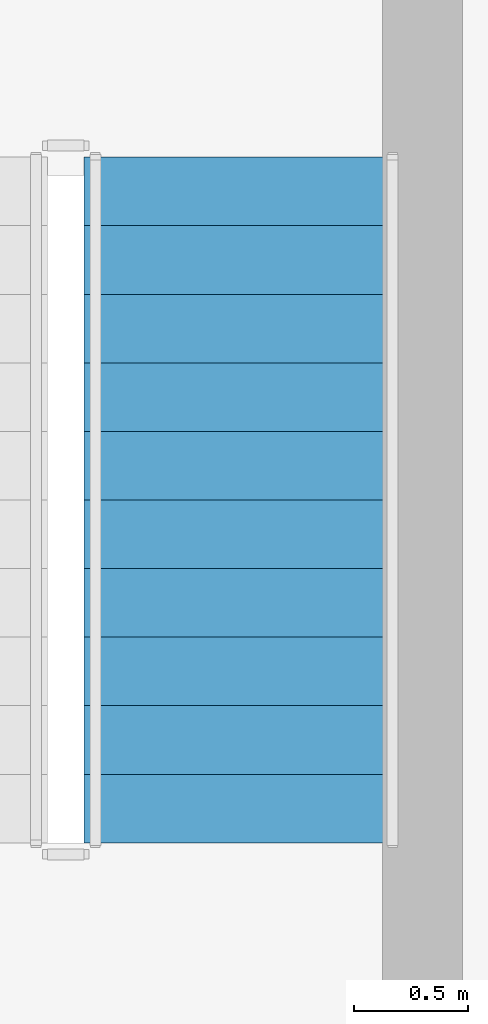
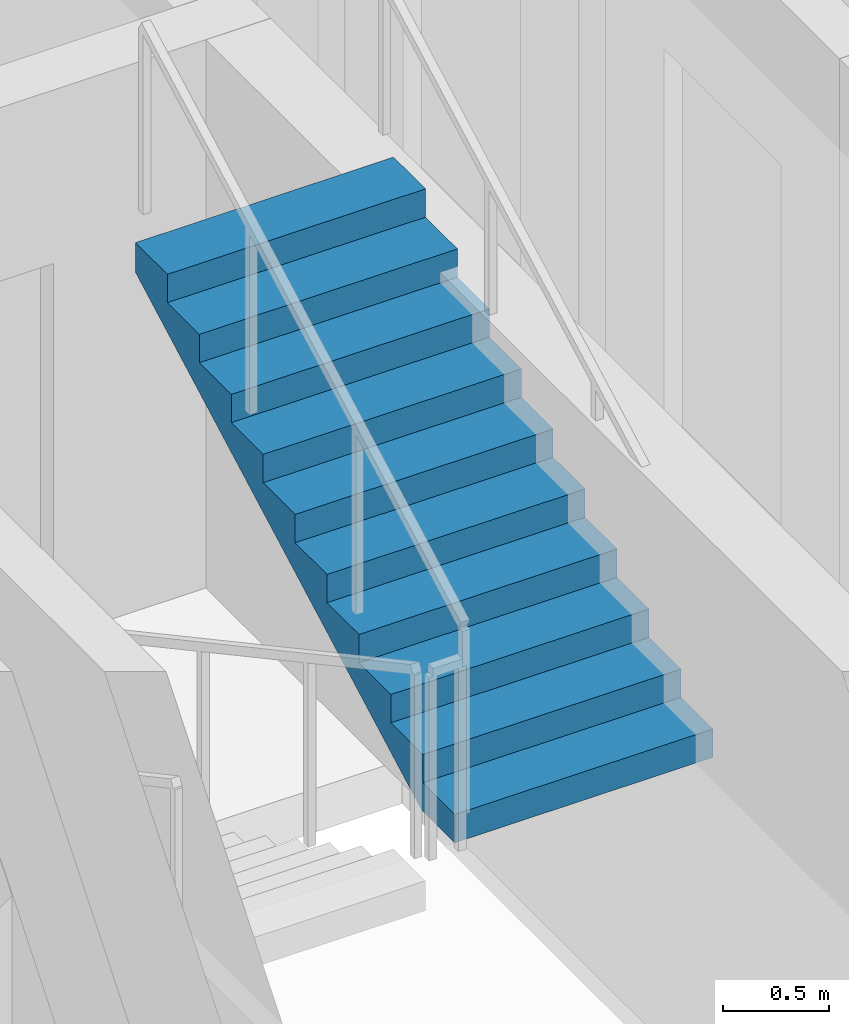
# One storey, part 6 of 13: 1 stair flight, 1 element without a shape of its own.
"""IFC4 building model written with IfcOpenShell, lengths in metres."""

import ifcopenshell
import ifcopenshell.guid

model = None  # the IFC model being written
_history = None  # IfcOwnerHistory: only IFC2X3 demands one
_inside = {}  # id of a spatial element -> (the spatial element, [elements in it])
_under = {}  # id of a project, library or spatial element -> (it, [spatial elements below it])
_declared = {}  # id of a project -> (the project, [libraries it declares])
_typed = {}  # id of a type object -> (the type object, [elements of that type])
_made_of = {}  # id of a material, layer set ... -> (it, [elements and type objects made of it])


def new_model(schema):
    """Start an empty IFC model of exactly this schema.

    Asked for "IFC4X3", IfcOpenShell would pick the latest addendum, in which some entities
    have other attributes; the version numbers below select the first issue.
    IFC2X3 requires an IfcOwnerHistory on every rooted entity: one is made here for all.
    """
    global model, _history
    if schema == "IFC4X3":
        model = ifcopenshell.file(schema_version=(4, 3, 0, 0))
    else:
        model = ifcopenshell.file(schema=schema)
    _inside.clear()
    _under.clear()
    _declared.clear()
    _typed.clear()
    _made_of.clear()
    _history = None
    if model.schema == "IFC2X3":
        org = make("IfcOrganization", Name="unknown")
        user = make(
            "IfcPersonAndOrganization",
            ThePerson=make("IfcPerson", FamilyName="unknown"),
            TheOrganization=org,
        )
        app = make(
            "IfcApplication",
            ApplicationDeveloper=org,
            Version="unknown",
            ApplicationFullName="unknown",
            ApplicationIdentifier="unknown",
        )
        _history = make(
            "IfcOwnerHistory",
            OwningUser=user,
            OwningApplication=app,
            ChangeAction="ADDED",
            CreationDate=0,
        )
    return model


def make(cls, **values):
    """One entity of the class cls with the attributes given. An attribute that is None is left unset."""
    return model.create_entity(
        cls, **{name: value for name, value in values.items() if value is not None}
    )


def rooted(cls, **values):
    """An entity with a GlobalId (a new one), such as an element, a storey or a relation."""
    return make(cls, GlobalId=ifcopenshell.guid.new(), OwnerHistory=_history, **values)


def si_unit(unit_type, name, prefix=None):
    """IfcSIUnit, for example si_unit("LENGTHUNIT", "METRE", prefix="MILLI")."""
    return make("IfcSIUnit", UnitType=unit_type, Prefix=prefix, Name=name)


def assignment(units):
    """IfcUnitAssignment: the units of a project."""
    return None if units is None else make("IfcUnitAssignment", Units=units)


def point(xyz):
    """IfcCartesianPoint."""
    return None if xyz is None else make("IfcCartesianPoint", Coordinates=xyz)


def direction(xyz):
    """IfcDirection."""
    return None if xyz is None else make("IfcDirection", DirectionRatios=xyz)


def frame(location, z_axis=None, x_axis=None):
    """IfcAxis2Placement3D, a coordinate frame: its origin and axes. An axis left out is left unset."""
    return make(
        "IfcAxis2Placement3D",
        Location=point(location),
        Axis=direction(z_axis),
        RefDirection=direction(x_axis),
    )


def origin():
    """The frame at (0, 0, 0) with its axes left unset."""
    return frame((0.0, 0.0, 0.0))


def place(relative_to, where):
    """IfcLocalPlacement: puts the frame where relative to a parent placement (None: the world)."""
    return make(
        "IfcLocalPlacement", PlacementRelTo=relative_to, RelativePlacement=where
    )


def context(
    kind, dimensions, precision=None, world=None, true_north=None, identifier=None
):
    """IfcGeometricRepresentationContext, for example the 3D "Model" context."""
    return make(
        "IfcGeometricRepresentationContext",
        ContextIdentifier=identifier,
        ContextType=kind,
        CoordinateSpaceDimension=dimensions,
        Precision=precision,
        WorldCoordinateSystem=world,
        TrueNorth=true_north,
    )


def subcontext(parent, identifier, kind, view, scale=None):
    """IfcGeometricRepresentationSubContext, for example "Body" below "Model"."""
    return make(
        "IfcGeometricRepresentationSubContext",
        ContextIdentifier=identifier,
        ContextType=kind,
        ParentContext=parent,
        TargetScale=scale,
        TargetView=view,
    )


def project(units=None, contexts=None):
    """IfcProject with its units and contexts."""
    return rooted(
        "IfcProject",
        Name="project",
        RepresentationContexts=contexts,
        UnitsInContext=assignment(units),
    )


def spatial(cls, under=None, at=None, **own):
    """A site, building, storey or space (cls), placed at a placement, below another one or the project."""
    s = rooted(cls, ObjectPlacement=at, **own)
    if under is not None:
        _under.setdefault(under.id(), (under, []))[1].append(s)
    return s


def polyline(points):
    """IfcPolyline through the points."""
    return make("IfcPolyline", Points=[point(p) for p in points])


def outline(outer, holes=None, kind="AREA"):
    """IfcArbitraryClosedProfileDef: a profile drawn as a closed curve; with holes, ...WithVoids."""
    if holes is None:
        return make("IfcArbitraryClosedProfileDef", ProfileType=kind, OuterCurve=outer)
    return make(
        "IfcArbitraryProfileDefWithVoids",
        ProfileType=kind,
        OuterCurve=outer,
        InnerCurves=holes,
    )


def extrude(swept, where, along, depth):
    """IfcExtrudedAreaSolid: the profile swept, set in the frame where, extruded along a direction by depth."""
    return make(
        "IfcExtrudedAreaSolid",
        SweptArea=swept,
        Position=where,
        ExtrudedDirection=direction(along),
        Depth=depth,
    )


def shape(context_of_items, identifier, shape_type, items):
    """IfcShapeRepresentation: the items that make up one representation, for example the "Body"."""
    return make(
        "IfcShapeRepresentation",
        ContextOfItems=context_of_items,
        RepresentationIdentifier=identifier,
        RepresentationType=shape_type,
        Items=items,
    )


def material(Name=None, Category=None):
    """IfcMaterial."""
    return make("IfcMaterial", Name=Name, Category=Category)


def layer(
    of_material, thickness, ventilated=None, Name=None, Category=None, Priority=None
):
    """IfcMaterialLayer: one layer of a wall or slab, of a material (None: an air gap)."""
    return make(
        "IfcMaterialLayer",
        Material=of_material,
        LayerThickness=thickness,
        IsVentilated=ventilated,
        Name=Name,
        Category=Category,
        Priority=Priority,
    )


def layer_set(layers, Name=None):
    """IfcMaterialLayerSet."""
    return make("IfcMaterialLayerSet", MaterialLayers=layers, LayerSetName=Name)


def made_of(thing, what):
    """Note that an element or type object is made of a material, layer set ...; save() writes the relation."""
    if what is not None:
        _made_of.setdefault(what.id(), (what, []))[1].append(thing)
    return thing


def type_object(cls, material=None, **own):
    """A type object (cls), such as IfcWallType, which elements share."""
    return made_of(rooted(cls, **own), material)


def element(
    cls,
    number,
    at=None,
    inside=None,
    cuts=None,
    type_object=None,
    material=None,
    context=None,
    identifier="Body",
    shape_type=None,
    held_by="IfcProductDefinitionShape",
    body=None,
    shapes=None,
    **own,
):
    """One element of the class cls, such as IfcWall. Its Tag is "e" and its number.

    at: its placement. inside: the storey or other place that contains it. cuts: it is an
    opening in that element (IfcRelVoidsElement). A single representation is given by context,
    identifier, shape_type and body (its items); several are given by shapes. held_by: the class
    of the entity that holds the representations. save() writes the other relations.
    """
    e = rooted(cls, Tag="e%d" % number, ObjectPlacement=at, **own)
    if body is not None:
        shapes = [shape(context, identifier, shape_type, body)]
    if shapes is not None:
        e.Representation = make(held_by, Representations=shapes)
    if inside is not None:
        _inside.setdefault(inside.id(), (inside, []))[1].append(e)
    if cuts is not None:
        rooted(
            "IfcRelVoidsElement", RelatingBuildingElement=cuts, RelatedOpeningElement=e
        )
    if type_object is not None:
        _typed.setdefault(type_object.id(), (type_object, []))[1].append(e)
    return made_of(e, material)


def aggregate(whole, parts):
    """IfcRelAggregates: a whole, such as a stair, and the parts it consists of."""
    return rooted("IfcRelAggregates", RelatingObject=whole, RelatedObjects=parts)


def save(model, path):
    """Write the relations noted so far, then the file.

    IfcRelAggregates (storeys below a building ...), IfcRelContainedInSpatialStructure (elements
    in a storey), IfcRelDefinesByType, IfcRelAssociatesMaterial and IfcRelDeclares: one each for
    every whole, place, type object, material and project.
    """
    for whole, parts in _under.values():
        aggregate(whole, parts)
    for where, things in _inside.values():
        rooted(
            "IfcRelContainedInSpatialStructure",
            RelatedElements=things,
            RelatingStructure=where,
        )
    for kind, things in _typed.values():
        rooted("IfcRelDefinesByType", RelatedObjects=things, RelatingType=kind)
    for what, things in _made_of.values():
        rooted("IfcRelAssociatesMaterial", RelatedObjects=things, RelatingMaterial=what)
    for by, libraries in _declared.values():
        rooted("IfcRelDeclares", RelatingContext=by, RelatedDefinitions=libraries)
    model.write(path)


model = new_model("IFC4")

# Units and contexts
model_context = context("Model", 3, precision=1e-05, world=origin(), true_north=direction((0.0, 1.0)))
body_context = subcontext(model_context, "Body", "Model", "MODEL_VIEW")
ifc_project = project(units=[si_unit("LENGTHUNIT", "METRE"), si_unit("AREAUNIT", "SQUARE_METRE"), si_unit("VOLUMEUNIT", "CUBIC_METRE"), si_unit("PLANEANGLEUNIT", "RADIAN"), si_unit("MASSUNIT", "GRAM", prefix="KILO")], contexts=[model_context])

# Site, building, storey
site_placement = place(None, origin())
site = spatial("IfcSite", under=ifc_project, at=site_placement, CompositionType="ELEMENT")
building_placement = place(site_placement, origin())
building = spatial("IfcBuilding", under=site, at=building_placement, Name="Zulmaris Gate Convention Tower", CompositionType="ELEMENT")
storey_placement = place(building_placement, frame((0.0, 0.0, 112.780029296875)))
storey = spatial("IfcBuildingStorey", under=building, at=storey_placement, Name="L28", CompositionType="ELEMENT", Elevation=112.780029296875)

# Stair, stair flight
ifc_material = material(Name="Concrete C45/55", Category="concrete")
stair_type = type_object("IfcStairType", Name="ST-CORE-DOGLEG", PredefinedType="HALF_TURN_STAIR", material=ifc_material)
stair_placement = place(storey_placement, origin())
stair = element("IfcStair", 1, at=stair_placement, inside=storey, type_object=stair_type, Name="L28 Core Exit Stair ST-2", PredefinedType="HALF_TURN_STAIR")
ifc_layer = layer(ifc_material, 0.14990234375, Name="Concrete C45/55")
ifc_layer_set = layer_set([ifc_layer], Name="Concrete C45/55")
stair_flight_type = type_object("IfcStairFlightType", Name="STF-RC150", PredefinedType="STRAIGHT", material=ifc_layer_set)
stair_flight_placement = place(storey_placement, frame((13.919921875, -5.0, 1.784912109375), z_axis=(0.0, 0.0, 1.0), x_axis=(0.0, 1.0, 0.0)))
stair_flight = element("IfcStairFlight", 2, at=stair_flight_placement, type_object=stair_flight_type, Name="ST-2 flight 2", NumberOfRisers=11, NumberOfTreads=10, PredefinedType="STRAIGHT", RiserHeight=0.162268182, TreadLength=0.3, context=body_context, shape_type="SweptSolid", body=[
    extrude(outline(polyline([(0.0, 0.0), (0.0, 0.162353515625), (0.300048828125, 0.162353515625), (0.300048828125, 0.324462890625), (0.60009765625, 0.324462890625), (0.60009765625, 0.48681640625), (0.89990234375, 0.48681640625), (0.89990234375, 0.649169921875), (1.199951171875, 0.649169921875), (1.199951171875, 0.811279296875), (1.5, 0.811279296875), (1.5, 0.9736328125), (1.800048828125, 0.9736328125), (1.800048828125, 1.135986328125), (2.10009765625, 1.135986328125), (2.10009765625, 1.298095703125), (2.39990234375, 1.298095703125), (2.39990234375, 1.46044921875), (2.699951171875, 1.46044921875), (2.699951171875, 1.622802734375), (3.0, 1.622802734375), (3.0, 1.784912109375), (3.0, 1.4521484375), (0.315185546875, 0.0), (0.0, 0.0)])), frame((0.0, 0.699951171875, 0.0), z_axis=(0.0, -1.0, 0.0), x_axis=(1.0, 0.0, 0.0)), (0.0, 0.0, 1.0), 1.39990234375),
])
aggregate(stair, [stair_flight])

save(model, "model.ifc")
